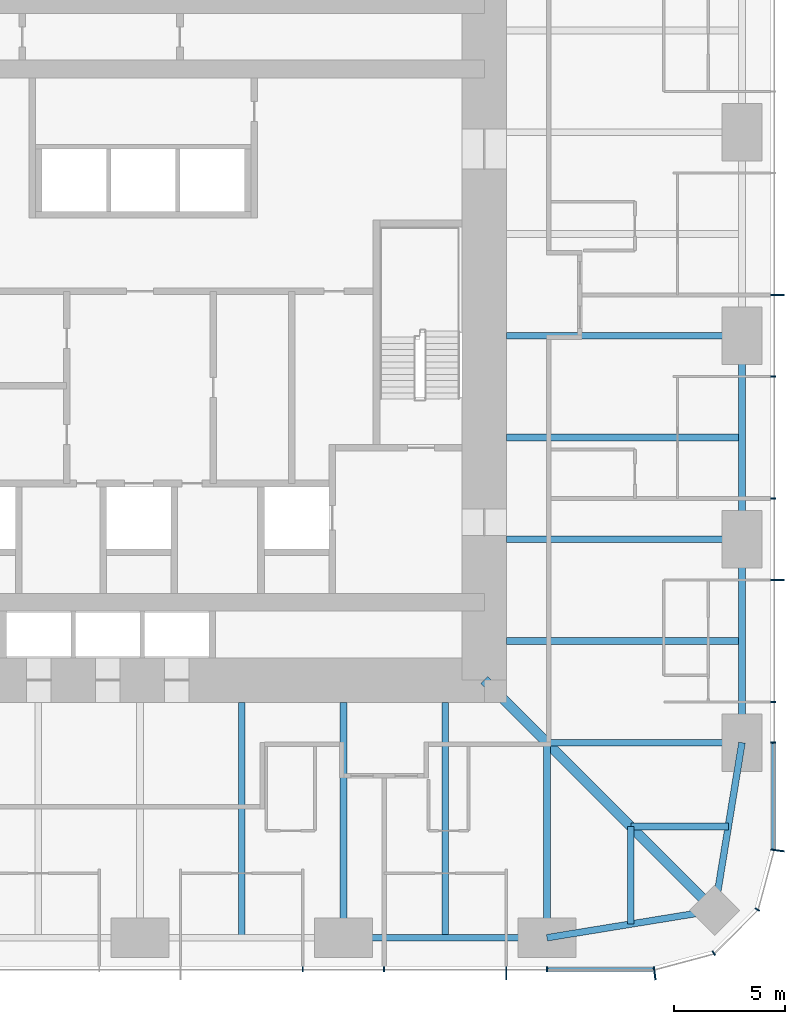
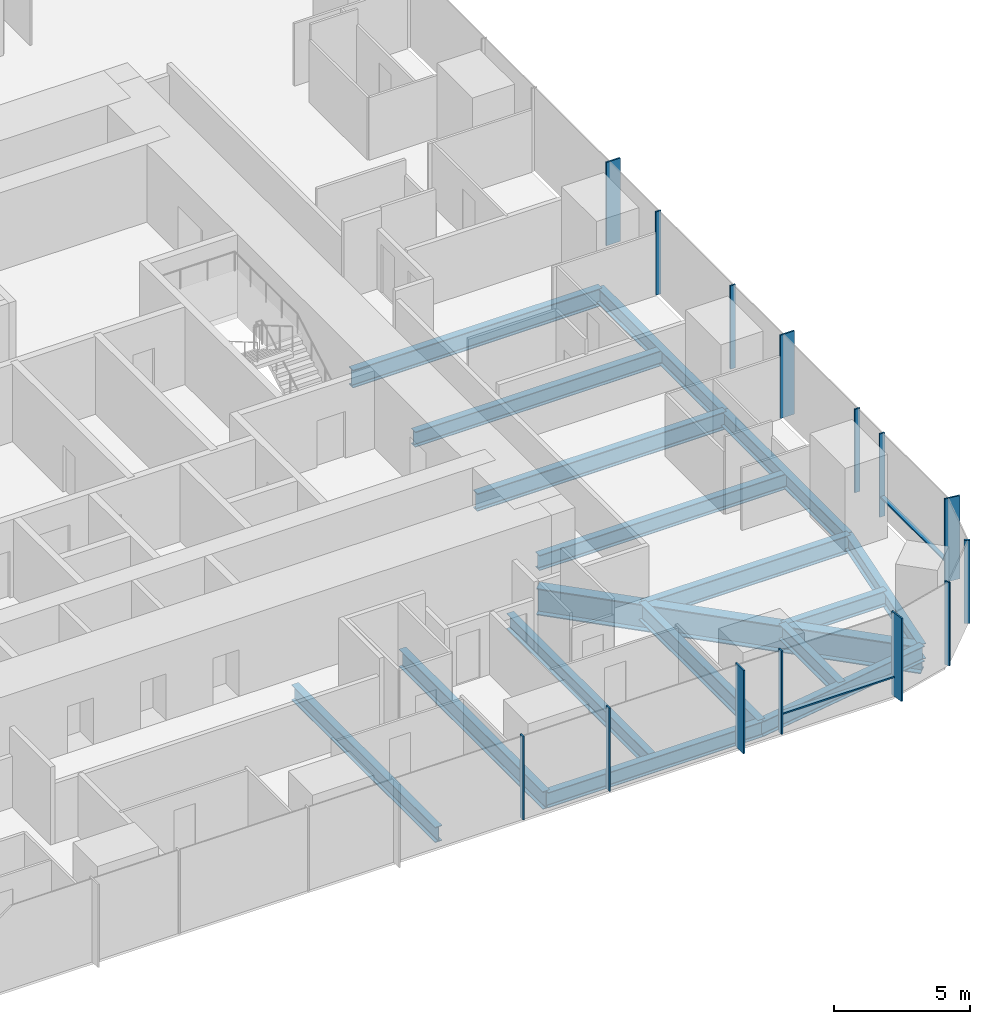
# One storey, part 4 of 13: 17 beams, 16 members, 3 elements without a shape of their own.
"""IFC4 building model written with IfcOpenShell, lengths in metres."""

from ifc_helpers import new_model, si_unit, direction, frame, origin, origin_2d, place, context, subcontext, project, spatial, rectangle, i_section, extrude, material, material_profile, profile_set, type_object, element, aggregate, save


model = new_model("IFC4")

# Units and contexts
model_context = context("Model", 3, precision=1e-05, world=origin(), true_north=direction((0.0, 1.0)))
body_context = subcontext(model_context, "Body", "Model", "MODEL_VIEW")
ifc_project = project(units=[si_unit("LENGTHUNIT", "METRE"), si_unit("AREAUNIT", "SQUARE_METRE"), si_unit("VOLUMEUNIT", "CUBIC_METRE"), si_unit("PLANEANGLEUNIT", "RADIAN"), si_unit("MASSUNIT", "GRAM", prefix="KILO")], contexts=[model_context])

# Site, building, storey
site_placement = place(None, origin())
site = spatial("IfcSite", under=ifc_project, at=site_placement, CompositionType="ELEMENT")
building_placement = place(site_placement, origin())
building = spatial("IfcBuilding", under=site, at=building_placement, Name="Khuree Lantern Residences", CompositionType="ELEMENT")
storey_placement = place(building_placement, frame((0.0, 0.0, 156.0)))
storey = spatial("IfcBuildingStorey", under=building, at=storey_placement, Name="L39", CompositionType="ELEMENT", Elevation=156.0)

# Beams
ifc_material_1 = material(Name="Steel S355", Category="steel")
ifc_material_profile_1 = material_profile(ifc_material_1, i_section(OverallWidth=0.300048828125, OverallDepth=0.68994140625, WebThickness=0.014404296875, FlangeThickness=0.027099609375, FilletRadius=0.027099609375, at=origin_2d()), Name="HE 700 A")
ifc_profile_set_1 = profile_set([ifc_material_profile_1], Name="Steel S355")
beam_type_1 = type_object("IfcBeamType", Name="B-24 SECONDARY BEAM HE 700 A", PredefinedType="BEAM", material=ifc_profile_set_1)
for number, where, z_axis, x_axis, name in (
    (1, (27.10009765625, -4.580078125, -0.594970703125), (-1.0, 0.0, 0.0), (0.0, -1.0, 0.0), "Secondary beam E4"),
    (2, (27.10009765625, -13.739990234375, -0.594970703125), (-1.0, 0.0, 0.0), (0.0, -1.0, 0.0), "Secondary beam E5"),
):
    element("IfcBeam", number, at=place(storey_placement, frame(where, z_axis=z_axis, x_axis=x_axis)), inside=storey, type_object=beam_type_1, Name=name, PredefinedType="BEAM", context=body_context, shape_type="SweptSolid", body=[
        extrude(i_section(OverallWidth=0.300048828125, OverallDepth=0.68994140625, WebThickness=0.014404296875, FlangeThickness=0.027099609375, FilletRadius=0.027099609375, at=origin_2d()), origin(), (0.0, 0.0, 1.0), 10.60009765625),
    ])
for number, where, z_axis, x_axis, name in (
    (3, (26.48486328125, -22.094970703125, -0.594970703125), (-1.0, 0.0, 0.0), (0.0, -1.0, 0.0), "Secondary beam E6"),
    (4, (22.094970703125, -26.48486328125, -0.594970703125), (0.0, 1.0, 0.0), (-1.0, 0.0, 0.0), "Secondary beam S1"),
):
    element("IfcBeam", number, at=place(storey_placement, frame(where, z_axis=z_axis, x_axis=x_axis)), inside=storey, type_object=beam_type_1, Name=name, PredefinedType="BEAM", context=body_context, shape_type="SweptSolid", body=[
        extrude(i_section(OverallWidth=0.300048828125, OverallDepth=0.68994140625, WebThickness=0.014404296875, FlangeThickness=0.027099609375, FilletRadius=0.027099609375, at=origin_2d()), origin(), (0.0, 0.0, 1.0), 4.389892578125),
    ])
for number, where, z_axis, x_axis, name in (
    (5, (13.739990234375, -27.10009765625, -0.594970703125), (0.0, 1.0, 0.0), (-1.0, 0.0, 0.0), "Secondary beam S2"),
    (6, (4.580078125, -27.10009765625, -0.594970703125), (0.0, 1.0, 0.0), (-1.0, 0.0, 0.0), "Secondary beam S3"),
):
    element("IfcBeam", number, at=place(storey_placement, frame(where, z_axis=z_axis, x_axis=x_axis)), inside=storey, type_object=beam_type_1, Name=name, PredefinedType="BEAM", context=body_context, shape_type="SweptSolid", body=[
        extrude(i_section(OverallWidth=0.300048828125, OverallDepth=0.68994140625, WebThickness=0.014404296875, FlangeThickness=0.027099609375, FilletRadius=0.027099609375, at=origin_2d()), origin(), (0.0, 0.0, 1.0), 10.60009765625),
    ])
ifc_material_profile_2 = material_profile(ifc_material_1, i_section(OverallWidth=0.300048828125, OverallDepth=0.68994140625, WebThickness=0.014404296875, FlangeThickness=0.027099609375, FilletRadius=0.027099609375, at=origin_2d()), Name="HE 700 A")
ifc_profile_set_2 = profile_set([ifc_material_profile_2], Name="Steel S355")
beam_type_2 = type_object("IfcBeamType", Name="E-24 SPANDREL BEAM HE 700 A", PredefinedType="SPANDREL", material=ifc_profile_set_2)
beam_1_placement = place(storey_placement, frame((27.10009765625, 0.0, -0.594970703125), z_axis=(0.0, -1.0, 0.0), x_axis=(1.0, 0.0, 0.0)))
element("IfcBeam", 7, at=beam_1_placement, inside=storey, type_object=beam_type_2, Name="Spandrel beam E4", PredefinedType="SPANDREL", context=body_context, shape_type="SweptSolid", body=[
    extrude(i_section(OverallWidth=0.300048828125, OverallDepth=0.68994140625, WebThickness=0.014404296875, FlangeThickness=0.027099609375, FilletRadius=0.027099609375, at=origin_2d()), origin(), (0.0, 0.0, 1.0), 9.159912109375),
])
beam_2_placement = place(storey_placement, frame((27.10009765625, -9.159912109375, -0.594970703125), z_axis=(0.0, -1.0, 0.0), x_axis=(1.0, 0.0, 0.0)))
element("IfcBeam", 8, at=beam_2_placement, inside=storey, type_object=beam_type_2, Name="Spandrel beam E5", PredefinedType="SPANDREL", context=body_context, shape_type="SweptSolid", body=[
    extrude(i_section(OverallWidth=0.300048828125, OverallDepth=0.68994140625, WebThickness=0.014404296875, FlangeThickness=0.027099609375, FilletRadius=0.027099609375, at=origin_2d()), origin(), (0.0, 0.0, 1.0), 9.16015625),
])
for number, where, z_axis, x_axis, name in (
    (9, (27.10009765625, -18.320068359375, -0.594970703125), (-0.160826723833, -0.986982656839, 0.0), (0.986982656839, -0.160826723833, 0.0), "Spandrel beam E6"),
    (10, (25.869873046875, -25.869873046875, -0.594970703125), (-0.986982656839, -0.160826723833, 0.0), (0.160826723833, -0.986982656839, 0.0), "Spandrel beam S1"),
):
    element("IfcBeam", number, at=place(storey_placement, frame(where, z_axis=z_axis, x_axis=x_axis)), inside=storey, type_object=beam_type_2, Name=name, PredefinedType="SPANDREL", context=body_context, shape_type="SweptSolid", body=[
        extrude(i_section(OverallWidth=0.300048828125, OverallDepth=0.68994140625, WebThickness=0.014404296875, FlangeThickness=0.027099609375, FilletRadius=0.027099609375, at=origin_2d()), origin(), (0.0, 0.0, 1.0), 7.6494140625),
    ])
beam_3_placement = place(storey_placement, frame((18.320068359375, -27.10009765625, -0.594970703125), z_axis=(-1.0, 0.0, 0.0), x_axis=(0.0, -1.0, 0.0)))
element("IfcBeam", 11, at=beam_3_placement, inside=storey, type_object=beam_type_2, Name="Spandrel beam S2", PredefinedType="SPANDREL", context=body_context, shape_type="SweptSolid", body=[
    extrude(i_section(OverallWidth=0.300048828125, OverallDepth=0.68994140625, WebThickness=0.014404296875, FlangeThickness=0.027099609375, FilletRadius=0.027099609375, at=origin_2d()), origin(), (0.0, 0.0, 1.0), 9.16015625),
])

# Curtain wall, member
ifc_material_2 = material(Name="Bronze anodised aluminium", Category="aluminium")
curtain_wall_type_1 = type_object("IfcCurtainWallType", Name="CW-T2 TOWER CORNER CURTAIN WALL", PredefinedType="USERDEFINED", material=ifc_material_2)
curtain_wall_1_placement = place(storey_placement, origin())
curtain_wall_1 = element("IfcCurtainWall", 12, at=curtain_wall_1_placement, inside=storey, type_object=curtain_wall_type_1, Name="L39 SOUTH-EAST CORNER CURTAIN WALL", ObjectType="Faceted corner curtain wall", PredefinedType="USERDEFINED")
ifc_material_profile_3 = material_profile(ifc_material_2, rectangle(XDim=0.06494140625, YDim=0.60009765625, at=origin_2d()), Name="F1 65X600")
ifc_profile_set_3 = profile_set([ifc_material_profile_3], Name="Bronze anodised aluminium")
member_type_1 = type_object("IfcMemberType", Name="F1 BRONZE FIN MULLION TOWER 65X600", PredefinedType="MULLION", material=ifc_profile_set_3)
member_1_placement = place(storey_placement, frame((23.169677734375, -28.7001953125, 0.0), z_axis=(0.0, 0.0, 1.0), x_axis=(0.991444857305, 0.130526223125, 0.0)))
member_1 = element("IfcMember", 13, at=member_1_placement, type_object=member_type_1, Name="L39 SOUTH-EAST CORNER FIN MULLION 1", PredefinedType="MULLION", context=body_context, shape_type="SweptSolid", body=[
    extrude(rectangle(XDim=0.06494140625, YDim=0.60009765625, at=origin_2d()), origin(), (0.0, 0.0, 1.0), 3.75),
])

# Curtain wall, members
curtain_wall_type_2 = type_object("IfcCurtainWallType", Name="CW-T1 TOWER FACE CURTAIN WALL", PredefinedType="USERDEFINED", material=ifc_material_2)
curtain_wall_2_placement = place(storey_placement, origin())
curtain_wall_2 = element("IfcCurtainWall", 14, at=curtain_wall_2_placement, inside=storey, type_object=curtain_wall_type_2, Name="L39 EAST FACE CURTAIN WALL", ObjectType="Stick-built curtain wall", PredefinedType="USERDEFINED")
member_2_placement = place(storey_placement, frame((28.7001953125, -23.169677734375, 0.0), z_axis=(0.0, 0.0, 1.0), x_axis=(0.130526223125, 0.991444857305, 0.0)))
member_2 = element("IfcMember", 15, at=member_2_placement, type_object=member_type_1, Name="L39 EAST FACE FIN MULLION 4", PredefinedType="MULLION", context=body_context, shape_type="SweptSolid", body=[
    extrude(rectangle(XDim=0.06494140625, YDim=0.60009765625, at=origin_2d()), origin(), (0.0, 0.0, 1.0), 3.75),
])
member_3_placement = place(storey_placement, frame((28.699951171875, -10.991943359375, 0.0), z_axis=(0.0, 0.0, 1.0), x_axis=(0.0, 1.0, 0.0)))
member_3 = element("IfcMember", 16, at=member_3_placement, type_object=member_type_1, Name="L39 EAST FACE FIN MULLION 7", PredefinedType="MULLION", context=body_context, shape_type="SweptSolid", body=[
    extrude(rectangle(XDim=0.06494140625, YDim=0.60009765625, at=origin_2d()), origin(), (0.0, 0.0, 1.0), 3.75),
])
member_4_placement = place(storey_placement, frame((28.699951171875, 1.83203125, 0.0), z_axis=(0.0, 0.0, 1.0), x_axis=(0.0, 1.0, 0.0)))
member_4 = element("IfcMember", 17, at=member_4_placement, type_object=member_type_1, Name="L39 EAST FACE FIN MULLION 10", PredefinedType="MULLION", context=body_context, shape_type="SweptSolid", body=[
    extrude(rectangle(XDim=0.06494140625, YDim=0.60009765625, at=origin_2d()), origin(), (0.0, 0.0, 1.0), 3.75),
])

# Curtain wall, member
curtain_wall_3_placement = place(storey_placement, origin())
curtain_wall_3 = element("IfcCurtainWall", 18, at=curtain_wall_3_placement, inside=storey, type_object=curtain_wall_type_2, Name="L39 SOUTH FACE CURTAIN WALL", ObjectType="Stick-built curtain wall", PredefinedType="USERDEFINED")
member_5_placement = place(storey_placement, frame((16.488037109375, -28.699951171875, 0.0), z_axis=(0.0, 0.0, 1.0), x_axis=(1.0, 0.0, 0.0)))
member_5 = element("IfcMember", 19, at=member_5_placement, type_object=member_type_1, Name="L39 SOUTH FACE FIN MULLION 55", PredefinedType="MULLION", context=body_context, shape_type="SweptSolid", body=[
    extrude(rectangle(XDim=0.06494140625, YDim=0.60009765625, at=origin_2d()), origin(), (0.0, 0.0, 1.0), 3.75),
])

# Beams
ifc_material_profile_4 = material_profile(ifc_material_1, i_section(OverallWidth=0.300048828125, OverallDepth=0.800048828125, WebThickness=0.017578125, FlangeThickness=0.032958984375, FilletRadius=0.030029296875, at=origin_2d()), Name="HE 800 B")
ifc_profile_set_4 = profile_set([ifc_material_profile_4], Name="Steel S355")
beam_type_3 = type_object("IfcBeamType", Name="G-24 GIRDER HE 800 B", PredefinedType="BEAM", material=ifc_profile_set_4)
for number, where, z_axis, x_axis, name in (
    (20, (27.10009765625, 0.0, -0.64990234375), (-1.0, 0.0, 0.0), (0.0, -1.0, 0.0), "Girder E3"),
    (21, (27.10009765625, -9.159912109375, -0.64990234375), (-1.0, 0.0, 0.0), (0.0, -1.0, 0.0), "Girder E4"),
):
    element("IfcBeam", number, at=place(storey_placement, frame(where, z_axis=z_axis, x_axis=x_axis)), inside=storey, type_object=beam_type_3, Name=name, PredefinedType="BEAM", context=body_context, shape_type="SweptSolid", body=[
        extrude(i_section(OverallWidth=0.300048828125, OverallDepth=0.800048828125, WebThickness=0.017578125, FlangeThickness=0.032958984375, FilletRadius=0.030029296875, at=origin_2d()), origin(), (0.0, 0.0, 1.0), 10.60009765625),
    ])
for number, where, z_axis, x_axis, name in (
    (22, (27.10009765625, -18.320068359375, -0.64990234375), (-1.0, 0.0, 0.0), (0.0, -1.0, 0.0), "Girder E5"),
    (23, (18.320068359375, -27.10009765625, -0.64990234375), (0.0, 1.0, 0.0), (-1.0, 0.0, 0.0), "Girder S1"),
):
    element("IfcBeam", number, at=place(storey_placement, frame(where, z_axis=z_axis, x_axis=x_axis)), inside=storey, type_object=beam_type_3, Name=name, PredefinedType="BEAM", context=body_context, shape_type="SweptSolid", body=[
        extrude(i_section(OverallWidth=0.300048828125, OverallDepth=0.800048828125, WebThickness=0.017578125, FlangeThickness=0.032958984375, FilletRadius=0.030029296875, at=origin_2d()), origin(), (0.0, 0.0, 1.0), 8.780029296875),
    ])
beam_4_placement = place(storey_placement, frame((9.159912109375, -27.10009765625, -0.64990234375), z_axis=(0.0, 1.0, 0.0), x_axis=(-1.0, 0.0, 0.0)))
element("IfcBeam", 24, at=beam_4_placement, inside=storey, type_object=beam_type_3, Name="Girder S2", PredefinedType="BEAM", context=body_context, shape_type="SweptSolid", body=[
    extrude(i_section(OverallWidth=0.300048828125, OverallDepth=0.800048828125, WebThickness=0.017578125, FlangeThickness=0.032958984375, FilletRadius=0.030029296875, at=origin_2d()), origin(), (0.0, 0.0, 1.0), 10.60009765625),
])
ifc_material_profile_5 = material_profile(ifc_material_1, i_section(OverallWidth=0.449951171875, OverallDepth=1.199951171875, WebThickness=0.02490234375, FlangeThickness=0.044921875, at=origin_2d()), Name="WELDED I 1200X450X25X45")
ifc_profile_set_5 = profile_set([ifc_material_profile_5], Name="Steel S355")
beam_type_4 = type_object("IfcBeamType", Name="GD-24 CORNER GIRDER WELDED I 1200X450X25X45", PredefinedType="BEAM", material=ifc_profile_set_5)
beam_5_placement = place(storey_placement, frame((25.869873046875, -25.869873046875, -0.85009765625), z_axis=(-0.707106781187, 0.707106781187, 0.0), x_axis=(-0.707106781187, -0.707106781187, 0.0)))
element("IfcBeam", 25, at=beam_5_placement, inside=storey, type_object=beam_type_4, Name="Corner girder SE", PredefinedType="BEAM", context=body_context, shape_type="SweptSolid", body=[
    extrude(i_section(OverallWidth=0.449951171875, OverallDepth=1.199951171875, WebThickness=0.02490234375, FlangeThickness=0.044921875, at=origin_2d()), origin(), (0.0, 0.0, 1.0), 14.665283203125),
])

# Member
ifc_material_profile_6 = material_profile(ifc_material_2, rectangle(XDim=0.06494140625, YDim=0.219970703125, at=origin_2d()), Name="M1 65X220")
ifc_profile_set_6 = profile_set([ifc_material_profile_6], Name="Bronze anodised aluminium")
member_type_2 = type_object("IfcMemberType", Name="M1 BRONZE MULLION TOWER 65X220", PredefinedType="MULLION", material=ifc_profile_set_6)
member_6_placement = place(storey_placement, frame((25.830078125, -27.7919921875, 0.0), z_axis=(0.0, 0.0, 1.0), x_axis=(0.866025388199, 0.500000026995, 0.0)))
member_6 = element("IfcMember", 26, at=member_6_placement, type_object=member_type_2, Name="L39 SOUTH-EAST CORNER MULLION 2", PredefinedType="MULLION", context=body_context, shape_type="SweptSolid", body=[
    extrude(rectangle(XDim=0.06494140625, YDim=0.219970703125, at=origin_2d()), origin(), (0.0, 0.0, 1.0), 3.75),
])

member_7_placement = place(storey_placement, frame((27.7919921875, -25.830078125, 0.0), z_axis=(0.0, 0.0, 1.0), x_axis=(0.500000026995, 0.866025388199, 0.0)))
member_7 = element("IfcMember", 27, at=member_7_placement, type_object=member_type_2, Name="L39 SOUTH-EAST CORNER MULLION 3", PredefinedType="MULLION", context=body_context, shape_type="SweptSolid", body=[
    extrude(rectangle(XDim=0.06494140625, YDim=0.219970703125, at=origin_2d()), origin(), (0.0, 0.0, 1.0), 3.75),
])

aggregate(curtain_wall_1, [member_1, member_6, member_7])

member_8_placement = place(storey_placement, frame((28.510009765625, -18.320068359375, 0.0), z_axis=(0.0, 0.0, 1.0), x_axis=(0.0, 1.0, 0.0)))
member_8 = element("IfcMember", 28, at=member_8_placement, type_object=member_type_2, Name="L39 EAST FACE MULLION 5", PredefinedType="MULLION", context=body_context, shape_type="SweptSolid", body=[
    extrude(rectangle(XDim=0.06494140625, YDim=0.219970703125, at=origin_2d()), origin(), (0.0, 0.0, 1.0), 3.75),
])

member_9_placement = place(storey_placement, frame((28.510009765625, -16.488037109375, 0.0), z_axis=(0.0, 0.0, 1.0), x_axis=(0.0, 1.0, 0.0)))
member_9 = element("IfcMember", 29, at=member_9_placement, type_object=member_type_2, Name="L39 EAST FACE MULLION 6", PredefinedType="MULLION", context=body_context, shape_type="SweptSolid", body=[
    extrude(rectangle(XDim=0.06494140625, YDim=0.219970703125, at=origin_2d()), origin(), (0.0, 0.0, 1.0), 3.75),
])

member_10_placement = place(storey_placement, frame((28.510009765625, -7.327880859375, 0.0), z_axis=(0.0, 0.0, 1.0), x_axis=(0.0, 1.0, 0.0)))
member_10 = element("IfcMember", 30, at=member_10_placement, type_object=member_type_2, Name="L39 EAST FACE MULLION 8", PredefinedType="MULLION", context=body_context, shape_type="SweptSolid", body=[
    extrude(rectangle(XDim=0.06494140625, YDim=0.219970703125, at=origin_2d()), origin(), (0.0, 0.0, 1.0), 3.75),
])

member_11_placement = place(storey_placement, frame((28.510009765625, -1.83203125, 0.0), z_axis=(0.0, 0.0, 1.0), x_axis=(0.0, 1.0, 0.0)))
member_11 = element("IfcMember", 31, at=member_11_placement, type_object=member_type_2, Name="L39 EAST FACE MULLION 9", PredefinedType="MULLION", context=body_context, shape_type="SweptSolid", body=[
    extrude(rectangle(XDim=0.06494140625, YDim=0.219970703125, at=origin_2d()), origin(), (0.0, 0.0, 1.0), 3.75),
])

member_12_placement = place(storey_placement, frame((7.327880859375, -28.510009765625, 0.0), z_axis=(0.0, 0.0, 1.0), x_axis=(1.0, 0.0, 0.0)))
member_12 = element("IfcMember", 32, at=member_12_placement, type_object=member_type_2, Name="L39 SOUTH FACE MULLION 53", PredefinedType="MULLION", context=body_context, shape_type="SweptSolid", body=[
    extrude(rectangle(XDim=0.06494140625, YDim=0.219970703125, at=origin_2d()), origin(), (0.0, 0.0, 1.0), 3.75),
])

member_13_placement = place(storey_placement, frame((10.991943359375, -28.510009765625, 0.0), z_axis=(0.0, 0.0, 1.0), x_axis=(1.0, 0.0, 0.0)))
member_13 = element("IfcMember", 33, at=member_13_placement, type_object=member_type_2, Name="L39 SOUTH FACE MULLION 54", PredefinedType="MULLION", context=body_context, shape_type="SweptSolid", body=[
    extrude(rectangle(XDim=0.06494140625, YDim=0.219970703125, at=origin_2d()), origin(), (0.0, 0.0, 1.0), 3.75),
])

member_14_placement = place(storey_placement, frame((18.320068359375, -28.510009765625, 0.0), z_axis=(0.0, 0.0, 1.0), x_axis=(1.0, 0.0, 0.0)))
member_14 = element("IfcMember", 34, at=member_14_placement, type_object=member_type_2, Name="L39 SOUTH FACE MULLION 56", PredefinedType="MULLION", context=body_context, shape_type="SweptSolid", body=[
    extrude(rectangle(XDim=0.06494140625, YDim=0.219970703125, at=origin_2d()), origin(), (0.0, 0.0, 1.0), 3.75),
])

ifc_material_profile_7 = material_profile(ifc_material_2, rectangle(XDim=0.179931640625, YDim=0.06494140625, at=origin_2d()), Name="T1 180X65")
ifc_profile_set_7 = profile_set([ifc_material_profile_7], Name="Bronze anodised aluminium")
member_type_3 = type_object("IfcMemberType", Name="TRANSOM T1 TOWER 180X65", PredefinedType="USERDEFINED", material=ifc_profile_set_7)
member_15_placement = place(storey_placement, frame((28.52001953125, -23.101318359375, 0.89990234375), z_axis=(0.0, 1.0, 0.0), x_axis=(-1.0, 0.0, 0.0)))
member_15 = element("IfcMember", 35, at=member_15_placement, type_object=member_type_3, Name="L39 EAST FACE TRANSOM 4.1", ObjectType="Transom", PredefinedType="USERDEFINED", context=body_context, shape_type="SweptSolid", body=[
    extrude(rectangle(XDim=0.179931640625, YDim=0.06494140625, at=origin_2d()), origin(), (0.0, 0.0, 1.0), 4.748779296875),
])

aggregate(curtain_wall_2, [member_2, member_8, member_9, member_3, member_10, member_11, member_4, member_15])

member_16_placement = place(storey_placement, frame((18.3525390625, -28.52001953125, 0.89990234375), z_axis=(1.0, 0.0, 0.0), x_axis=(0.0, 1.0, 0.0)))
member_16 = element("IfcMember", 36, at=member_16_placement, type_object=member_type_3, Name="L39 SOUTH FACE TRANSOM 56.1", ObjectType="Transom", PredefinedType="USERDEFINED", context=body_context, shape_type="SweptSolid", body=[
    extrude(rectangle(XDim=0.179931640625, YDim=0.06494140625, at=origin_2d()), origin(), (0.0, 0.0, 1.0), 4.748779296875),
])

aggregate(curtain_wall_3, [member_12, member_13, member_5, member_14, member_16])

save(model, "model.ifc")
